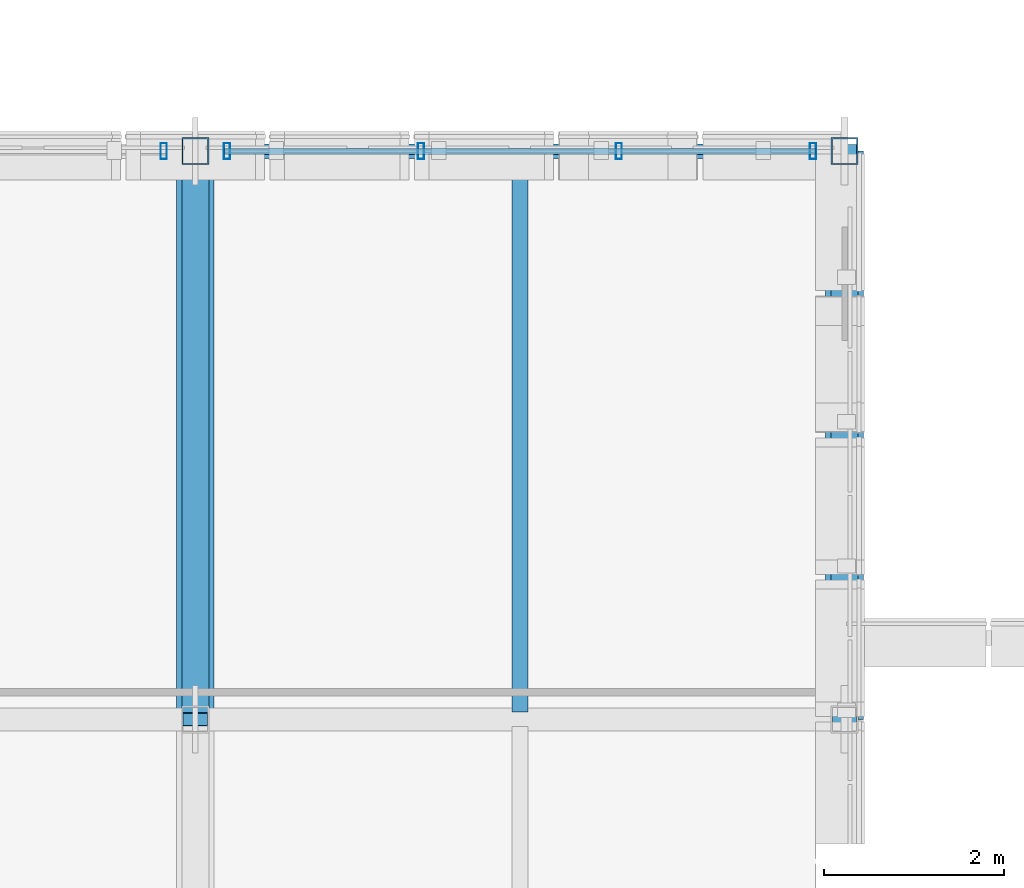
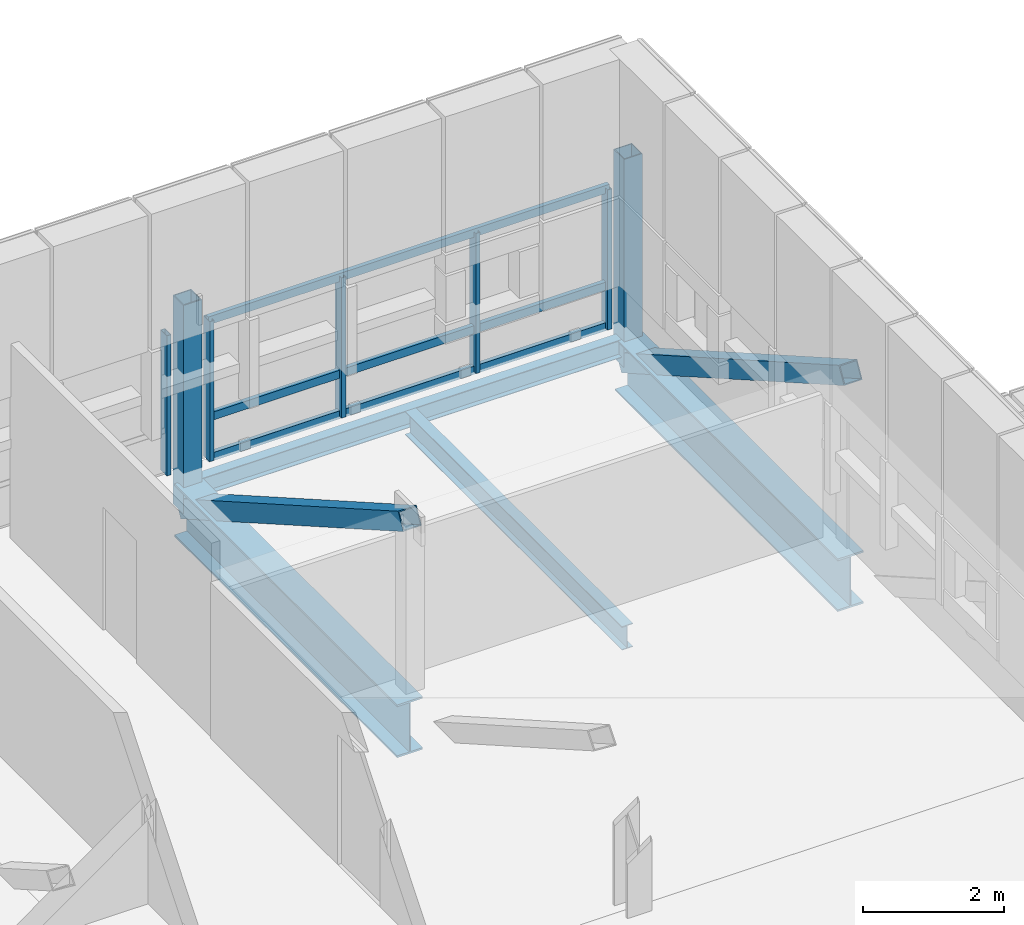
# One storey, part 26 of 96: 12 members, 4 beams, 2 elements without a shape of their own.
"""IFC4 building model written with IfcOpenShell, lengths in metres."""

from ifc_helpers import new_model, si_unit, direction, frame, origin, origin_2d, place, context, subcontext, project, spatial, hollow_rectangle, i_section, extrude, material, material_profile, profile_set, type_object, element, aggregate, save


model = new_model("IFC4")

# Units and contexts
model_context = context("Model", 3, precision=1e-05, world=origin(), true_north=direction((0.0, 1.0)))
body_context = subcontext(model_context, "Body", "Model", "MODEL_VIEW")
ifc_project = project(units=[si_unit("LENGTHUNIT", "METRE"), si_unit("AREAUNIT", "SQUARE_METRE"), si_unit("VOLUMEUNIT", "CUBIC_METRE"), si_unit("PLANEANGLEUNIT", "RADIAN"), si_unit("MASSUNIT", "GRAM", prefix="KILO")], contexts=[model_context])

# Site, building, storey
site_placement = place(None, origin())
site = spatial("IfcSite", under=ifc_project, at=site_placement, CompositionType="ELEMENT")
building_placement = place(site_placement, origin())
building = spatial("IfcBuilding", under=site, at=building_placement, Name="Yarey Park Central Fire Station", CompositionType="ELEMENT")
storey_placement = place(building_placement, frame((0.0, 0.0, 14.39990234375)))
storey = spatial("IfcBuildingStorey", under=building, at=storey_placement, Name="L04", CompositionType="ELEMENT", Elevation=14.39990234375)

# Curtain wall, member
ifc_material_1 = material(Name="Anodized Aluminium Frame", Category="aluminium")
curtain_wall_type = type_object("IfcCurtainWallType", Name="ENV_CW_V3_OVR2", PredefinedType="NOTDEFINED", material=ifc_material_1)
curtain_wall_1_placement = place(storey_placement, origin())
curtain_wall_1 = element("IfcCurtainWall", 1, at=curtain_wall_1_placement, inside=storey, type_object=curtain_wall_type, Name="CW_L04_V3_N_063", PredefinedType="NOTDEFINED")
ifc_material_profile_1 = material_profile(ifc_material_1, hollow_rectangle(XDim=0.070068359375, YDim=0.179931640625, WallThickness=0.00390625, at=origin_2d()), Name="ALU 180x70x4")
ifc_profile_set_1 = profile_set([ifc_material_profile_1], Name="Anodized Aluminium Frame")
member_type_1 = type_object("IfcMemberType", Name="ENV_CW_MULLION", PredefinedType="MULLION", material=ifc_profile_set_1)
member_1_placement = place(storey_placement, frame((50.050048828125, 99.0, 0.0), z_axis=(0.0, 0.0, 1.0), x_axis=(1.0, 0.0, 0.0)))
member_1 = element("IfcMember", 2, at=member_1_placement, type_object=member_type_1, Name="CW_L04_V3_N_063_MUL1", PredefinedType="MULLION", context=body_context, shape_type="SweptSolid", body=[
    extrude(hollow_rectangle(XDim=0.070068359375, YDim=0.179931640625, WallThickness=0.00390625, at=origin_2d()), origin(), (0.0, 0.0, 1.0), 2.420166015625),
])
aggregate(curtain_wall_1, [member_1])

# Curtain wall, members
curtain_wall_2_placement = place(storey_placement, origin())
curtain_wall_2 = element("IfcCurtainWall", 3, at=curtain_wall_2_placement, inside=storey, type_object=curtain_wall_type, Name="CW_L04_V3_N_064", PredefinedType="NOTDEFINED")
member_2_placement = place(storey_placement, frame((57.25, 99.0, 0.0), z_axis=(0.0, 0.0, 1.0), x_axis=(1.0, 0.0, 0.0)))
member_2 = element("IfcMember", 4, at=member_2_placement, type_object=member_type_1, Name="CW_L04_V3_N_064_MUL1", PredefinedType="MULLION", context=body_context, shape_type="SweptSolid", body=[
    extrude(hollow_rectangle(XDim=0.070068359375, YDim=0.179931640625, WallThickness=0.00390625, at=origin_2d()), origin(), (0.0, 0.0, 1.0), 2.420166015625),
])
member_3_placement = place(storey_placement, frame((55.0966796875, 99.0, 0.0), z_axis=(0.0, 0.0, 1.0), x_axis=(1.0, 0.0, 0.0)))
member_3 = element("IfcMember", 5, at=member_3_placement, type_object=member_type_1, Name="CW_L04_V3_N_064_MUL2", PredefinedType="MULLION", context=body_context, shape_type="SweptSolid", body=[
    extrude(hollow_rectangle(XDim=0.070068359375, YDim=0.179931640625, WallThickness=0.00390625, at=origin_2d()), origin(), (0.0, 0.0, 1.0), 2.420166015625),
])
member_4_placement = place(storey_placement, frame((52.9033203125, 99.0, 0.0), z_axis=(0.0, 0.0, 1.0), x_axis=(1.0, 0.0, 0.0)))
member_4 = element("IfcMember", 6, at=member_4_placement, type_object=member_type_1, Name="CW_L04_V3_N_064_MUL3", PredefinedType="MULLION", context=body_context, shape_type="SweptSolid", body=[
    extrude(hollow_rectangle(XDim=0.070068359375, YDim=0.179931640625, WallThickness=0.00390625, at=origin_2d()), origin(), (0.0, 0.0, 1.0), 2.420166015625),
])
member_5_placement = place(storey_placement, frame((50.75, 99.0, 0.0), z_axis=(0.0, 0.0, 1.0), x_axis=(1.0, 0.0, 0.0)))
member_5 = element("IfcMember", 7, at=member_5_placement, type_object=member_type_1, Name="CW_L04_V3_N_064_MUL4", PredefinedType="MULLION", context=body_context, shape_type="SweptSolid", body=[
    extrude(hollow_rectangle(XDim=0.070068359375, YDim=0.179931640625, WallThickness=0.00390625, at=origin_2d()), origin(), (0.0, 0.0, 1.0), 2.420166015625),
])
ifc_material_profile_2 = material_profile(ifc_material_1, hollow_rectangle(XDim=0.070068359375, YDim=0.139892578125, WallThickness=0.00390625, at=origin_2d()), Name="ALU 140x70x4")
ifc_profile_set_2 = profile_set([ifc_material_profile_2], Name="Anodized Aluminium Frame")
member_type_2 = type_object("IfcMemberType", Name="ENV_CW_TRANSOM", PredefinedType="USERDEFINED", material=ifc_profile_set_2)
member_6_placement = place(storey_placement, frame((57.27490234375, 99.0, 0.025146484375), z_axis=(-1.0, 0.0, 0.0), x_axis=(0.0, -1.0, 0.0)))
member_6 = element("IfcMember", 8, at=member_6_placement, type_object=member_type_2, Name="CW_L04_V3_N_064_TRN1", ObjectType="TRANSOM", PredefinedType="USERDEFINED", context=body_context, shape_type="SweptSolid", body=[
    extrude(hollow_rectangle(XDim=0.070068359375, YDim=0.139892578125, WallThickness=0.00390625, at=origin_2d()), origin(), (0.0, 0.0, 1.0), 6.5498046875),
])
member_7_placement = place(storey_placement, frame((57.27490234375, 99.0, 0.72607421875), z_axis=(-1.0, 0.0, 0.0), x_axis=(0.0, -1.0, 0.0)))
member_7 = element("IfcMember", 9, at=member_7_placement, type_object=member_type_2, Name="CW_L04_V3_N_064_TRN2", ObjectType="TRANSOM", PredefinedType="USERDEFINED", context=body_context, shape_type="SweptSolid", body=[
    extrude(hollow_rectangle(XDim=0.070068359375, YDim=0.139892578125, WallThickness=0.00390625, at=origin_2d()), origin(), (0.0, 0.0, 1.0), 6.5498046875),
])
member_8_placement = place(storey_placement, frame((57.27490234375, 99.0, 2.39501953125), z_axis=(-1.0, 0.0, 0.0), x_axis=(0.0, -1.0, 0.0)))
member_8 = element("IfcMember", 10, at=member_8_placement, type_object=member_type_2, Name="CW_L04_V3_N_064_TRN3", ObjectType="TRANSOM", PredefinedType="USERDEFINED", context=body_context, shape_type="SweptSolid", body=[
    extrude(hollow_rectangle(XDim=0.070068359375, YDim=0.139892578125, WallThickness=0.00390625, at=origin_2d()), origin(), (0.0, 0.0, 1.0), 6.5498046875),
])
aggregate(curtain_wall_2, [member_2, member_3, member_4, member_5, member_6, member_7, member_8])

# Beams
ifc_material_2 = material(Name="Steel ASTM A992 Gr. 50", Category="steel")
ifc_material_profile_3 = material_profile(ifc_material_2, i_section(OverallWidth=0.41796875, OverallDepth=0.912109375, WebThickness=0.019287109375, FlangeThickness=0.031982421875, at=origin_2d()), Name="W920x342")
ifc_profile_set_3 = profile_set([ifc_material_profile_3], Name="Steel ASTM A992 Gr. 50")
beam_type_1 = type_object("IfcBeamType", Name="STR_BM_W920", PredefinedType="BEAM", material=ifc_profile_set_3)
beam_1_placement = place(storey_placement, frame((50.39990234375, 92.699951171875, -0.705810546875), z_axis=(0.0, 1.0, 0.0), x_axis=(-1.0, 0.0, 0.0)))
element("IfcBeam", 11, at=beam_1_placement, inside=storey, type_object=beam_type_1, Name="Transfer Truss TT4 L04 CH6", PredefinedType="BEAM", context=body_context, shape_type="SweptSolid", body=[
    extrude(i_section(OverallWidth=0.41796875, OverallDepth=0.912109375, WebThickness=0.019287109375, FlangeThickness=0.031982421875, at=origin_2d()), origin(), (0.0, 0.0, 1.0), 6.300048828125),
])
ifc_material_profile_4 = material_profile(ifc_material_2, i_section(OverallWidth=0.41796875, OverallDepth=0.912109375, WebThickness=0.019287109375, FlangeThickness=0.031982421875, at=origin_2d()), Name="W920x342")
ifc_profile_set_4 = profile_set([ifc_material_profile_4], Name="Steel ASTM A992 Gr. 50")
beam_type_2 = type_object("IfcBeamType", Name="STR_BM_W920E", PredefinedType="BEAM", material=ifc_profile_set_4)
beam_2_placement = place(storey_placement, frame((57.60009765625, 92.699951171875, -0.705810546875), z_axis=(0.0, 1.0, 0.0), x_axis=(-1.0, 0.0, 0.0)))
element("IfcBeam", 12, at=beam_2_placement, inside=storey, type_object=beam_type_2, Name="Transfer Truss TT5 L04 CH6", PredefinedType="BEAM", context=body_context, shape_type="SweptSolid", body=[
    extrude(i_section(OverallWidth=0.41796875, OverallDepth=0.912109375, WebThickness=0.019287109375, FlangeThickness=0.031982421875, at=origin_2d()), origin(), (0.0, 0.0, 1.0), 6.300048828125),
])
ifc_material_profile_5 = material_profile(ifc_material_2, i_section(OverallWidth=0.177978515625, OverallDepth=0.406982421875, WebThickness=0.0078125, FlangeThickness=0.0126953125, at=origin_2d()), Name="W410x60")
ifc_profile_set_5 = profile_set([ifc_material_profile_5], Name="Steel ASTM A992 Gr. 50")
beam_type_3 = type_object("IfcBeamType", Name="STR_JST_W410", PredefinedType="JOIST", material=ifc_profile_set_5)
beam_3_placement = place(storey_placement, frame((54.0, 92.780029296875, -0.453369140625), z_axis=(0.0, 1.0, 0.0), x_axis=(-1.0, 0.0, 0.0)))
element("IfcBeam", 13, at=beam_3_placement, inside=storey, type_object=beam_type_3, Name="CANT JST L04 X540 Y927", PredefinedType="JOIST", context=body_context, shape_type="SweptSolid", body=[
    extrude(i_section(OverallWidth=0.177978515625, OverallDepth=0.406982421875, WebThickness=0.0078125, FlangeThickness=0.0126953125, at=origin_2d()), origin(), (0.0, 0.0, 1.0), 6.139892578125),
])

# Members
ifc_material_3 = material(Name="Steel ASTM A500 Gr. C", Category="steel")
ifc_material_profile_6 = material_profile(ifc_material_3, hollow_rectangle(XDim=0.300048828125, YDim=0.300048828125, WallThickness=0.01611328125, at=origin_2d()), Name="HSS 300x300x16")
ifc_profile_set_6 = profile_set([ifc_material_profile_6], Name="Steel ASTM A500 Gr. C")
member_type_3 = type_object("IfcMemberType", Name="STR_PRATT_HSS300", PredefinedType="BRACE", material=ifc_profile_set_6)
member_9_placement = place(storey_placement, frame((50.39990234375, 92.699951171875, 2.900146484375), z_axis=(0.0, 0.868239001029, -0.496146185203), x_axis=(-1.0, 0.0, 0.0)))
element("IfcMember", 14, at=member_9_placement, inside=storey, type_object=member_type_3, Name="TT4_L04_DIAG6", PredefinedType="BRACE", context=body_context, shape_type="SweptSolid", body=[
    extrude(hollow_rectangle(XDim=0.300048828125, YDim=0.300048828125, WallThickness=0.01611328125, at=origin_2d()), origin(), (0.0, 0.0, 1.0), 7.256103515625),
])
ifc_material_profile_7 = material_profile(ifc_material_3, hollow_rectangle(XDim=0.300048828125, YDim=0.300048828125, WallThickness=0.01611328125, at=origin_2d()), Name="HSS 300x300x16")
ifc_profile_set_7 = profile_set([ifc_material_profile_7], Name="Steel ASTM A500 Gr. C")
member_type_4 = type_object("IfcMemberType", Name="STR_PRATT_HSS300E", PredefinedType="BRACE", material=ifc_profile_set_7)
member_10_placement = place(storey_placement, frame((50.39990234375, 99.0, -0.699951171875), z_axis=(0.0, 0.0, 1.0), x_axis=(1.0, 0.0, 0.0)))
element("IfcMember", 15, at=member_10_placement, inside=storey, type_object=member_type_4, Name="TT4_L04_POST_990", PredefinedType="BRACE", context=body_context, shape_type="SweptSolid", body=[
    extrude(hollow_rectangle(XDim=0.300048828125, YDim=0.300048828125, WallThickness=0.01611328125, at=origin_2d()), origin(), (0.0, 0.0, 1.0), 3.60009765625),
])
member_11_placement = place(storey_placement, frame((57.60009765625, 92.699951171875, 2.900146484375), z_axis=(0.0, 0.868239001029, -0.496146185203), x_axis=(-1.0, 0.0, 0.0)))
element("IfcMember", 16, at=member_11_placement, inside=storey, type_object=member_type_4, Name="TT5_L04_DIAG6", PredefinedType="BRACE", context=body_context, shape_type="SweptSolid", body=[
    extrude(hollow_rectangle(XDim=0.300048828125, YDim=0.300048828125, WallThickness=0.01611328125, at=origin_2d()), origin(), (0.0, 0.0, 1.0), 7.256103515625),
])
member_12_placement = place(storey_placement, frame((57.60009765625, 99.0, -0.699951171875), z_axis=(0.0, 0.0, 1.0), x_axis=(1.0, 0.0, 0.0)))
element("IfcMember", 17, at=member_12_placement, inside=storey, type_object=member_type_4, Name="TT5_L04_POST_990", PredefinedType="BRACE", context=body_context, shape_type="SweptSolid", body=[
    extrude(hollow_rectangle(XDim=0.300048828125, YDim=0.300048828125, WallThickness=0.01611328125, at=origin_2d()), origin(), (0.0, 0.0, 1.0), 3.60009765625),
])

# Beam
ifc_material_profile_8 = material_profile(ifc_material_2, i_section(OverallWidth=0.1650390625, OverallDepth=0.31005859375, WebThickness=0.005859375, FlangeThickness=0.009765625, at=origin_2d()), Name="W310x39")
ifc_profile_set_8 = profile_set([ifc_material_profile_8], Name="Steel ASTM A992 Gr. 50")
beam_type_4 = type_object("IfcBeamType", Name="STR_SPN_W310", PredefinedType="SPANDREL", material=ifc_profile_set_8)
beam_4_placement = place(storey_placement, frame((50.39990234375, 99.0, -0.40478515625), z_axis=(1.0, 0.0, 0.0), x_axis=(0.0, 1.0, 0.0)))
element("IfcBeam", 18, at=beam_4_placement, inside=storey, type_object=beam_type_4, Name="CANT TIE L04 Y990 X50", PredefinedType="SPANDREL", context=body_context, shape_type="SweptSolid", body=[
    extrude(i_section(OverallWidth=0.1650390625, OverallDepth=0.31005859375, WebThickness=0.005859375, FlangeThickness=0.009765625, at=origin_2d()), origin(), (0.0, 0.0, 1.0), 7.2001953125),
])

save(model, "model.ifc")
